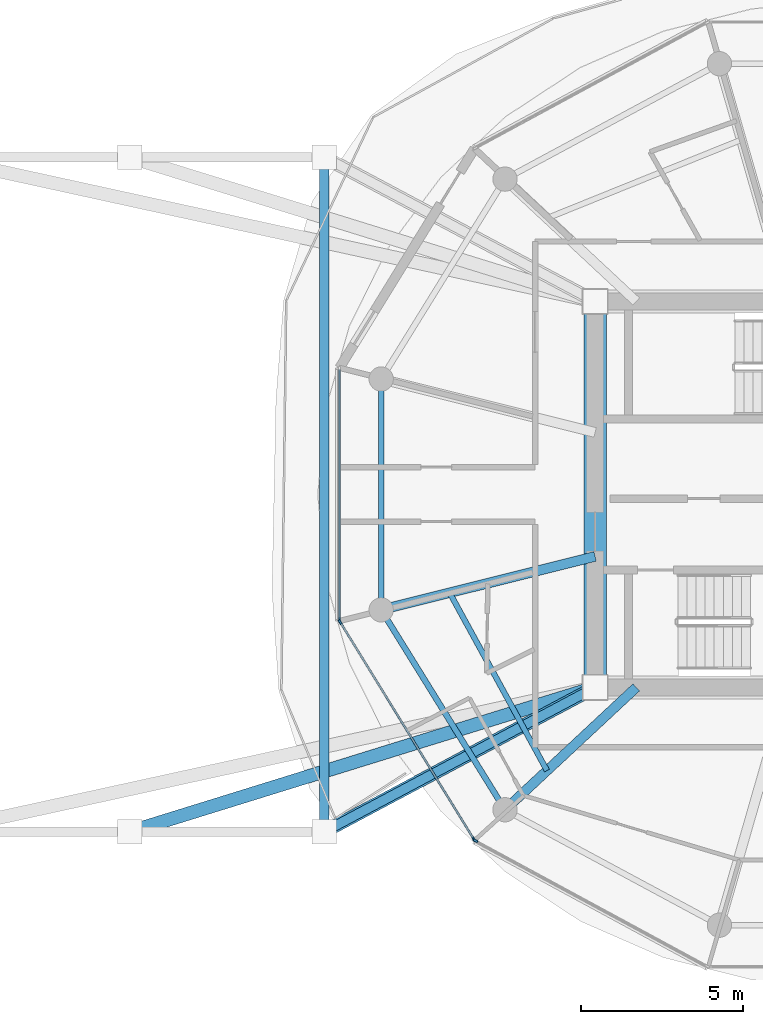
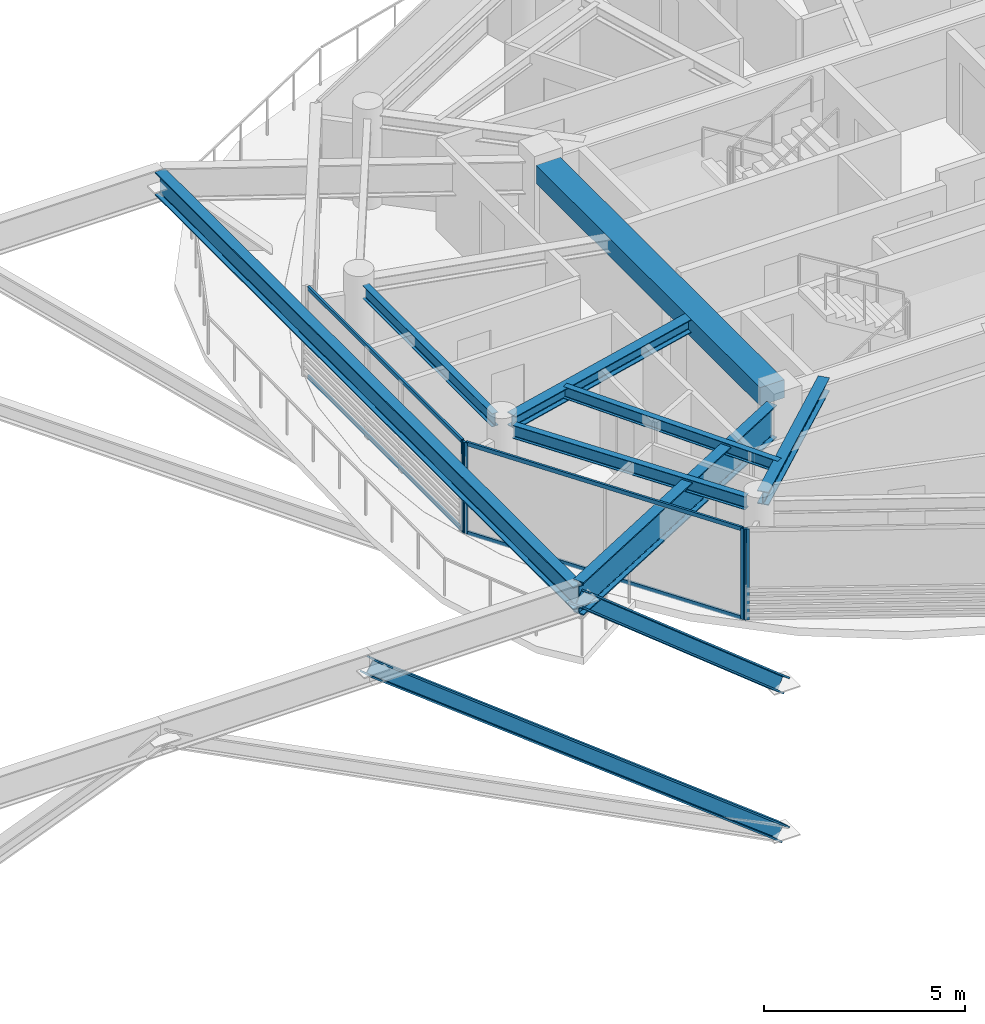
# One storey, part 7 of 23: 10 members, 8 beams, 3 elements without a shape of their own.
"""IFC4 building model written with IfcOpenShell, lengths in metres."""

from ifc_helpers import new_model, si_unit, direction, frame, origin, origin_2d, place, context, subcontext, project, spatial, rectangle, i_section, extrude, source, transform, mapped, material, layer, layer_set, material_profile, profile_set, type_object, type_shapes, element, aggregate, save


model = new_model("IFC4")

# Units and contexts
model_context = context("Model", 3, precision=1e-05, world=origin(), true_north=direction((0.0, 1.0)))
body_context = subcontext(model_context, "Body", "Model", "MODEL_VIEW")
ifc_project = project(units=[si_unit("LENGTHUNIT", "METRE"), si_unit("AREAUNIT", "SQUARE_METRE"), si_unit("VOLUMEUNIT", "CUBIC_METRE"), si_unit("PLANEANGLEUNIT", "RADIAN"), si_unit("MASSUNIT", "GRAM", prefix="KILO")], contexts=[model_context])

# Site, building, storey
site_placement = place(None, origin())
site = spatial("IfcSite", under=ifc_project, at=site_placement, CompositionType="ELEMENT")
building_placement = place(site_placement, origin())
building = spatial("IfcBuilding", under=site, at=building_placement, Name="Norrkilde Senior Care Towers", CompositionType="ELEMENT")
storey_placement = place(building_placement, frame((0.0, 0.0, 196.75)))
storey = spatial("IfcBuildingStorey", under=building, at=storey_placement, Name="L61", CompositionType="ELEMENT", Elevation=196.75)

# Beams
ifc_material_1 = material(Name="Concrete C60/75", Category="concrete")
ifc_material_profile_1 = material_profile(ifc_material_1, rectangle(XDim=0.699951171875, YDim=0.550048828125, at=origin_2d()), Name="RC BM 700x550")
ifc_profile_set_1 = profile_set([ifc_material_profile_1], Name="Concrete C60/75")
beam_type_1 = type_object("IfcBeamType", Name="Core Portal Coupling Beam 700x550", PredefinedType="USERDEFINED", material=ifc_profile_set_1)
shared_shape_1 = source(origin(), body_context, "Body", "SweptSolid", [
    extrude(rectangle(XDim=0.699951171875, YDim=0.550048828125, at=origin_2d()), origin(), (0.0, 0.0, 1.0), 11.14013671875),
])
type_shapes(beam_type_1, [shared_shape_1])
beam_1_placement = place(storey_placement, frame((20.35009765625, -5.570068359375, 2.485107421875), z_axis=(0.0, 1.0, 0.0), x_axis=(-1.0, 0.0, 0.0)))
element("IfcBeam", 1, at=beam_1_placement, inside=storey, type_object=beam_type_1, Name="L61 Core E W Coupling Girder", ObjectType="GIRDER", PredefinedType="USERDEFINED", context=body_context, shape_type="MappedRepresentation", body=[
    mapped(shared_shape_1, transform((0.0, 0.0, 0.0), x_axis=(1.0, 0.0, 0.0), y_axis=(0.0, 1.0, 0.0), z_axis=(0.0, 0.0, 1.0), scale=1.0)),
])
ifc_material_2 = material(Name="Steel S355", Category="steel")
ifc_material_profile_2 = material_profile(ifc_material_2, i_section(OverallWidth=0.179931640625, OverallDepth=0.39990234375, WebThickness=0.008544921875, FlangeThickness=0.013427734375, FilletRadius=0.02099609375, at=origin_2d()), Name="IPE 400")
ifc_profile_set_2 = profile_set([ifc_material_profile_2], Name="Steel S355")
beam_type_2 = type_object("IfcBeamType", Name="Perimeter Ring Spandrel Z4 IPE400", PredefinedType="SPANDREL", material=ifc_profile_set_2)
shared_shape_2 = source(origin(), body_context, "Body", "SweptSolid", [
    extrude(i_section(OverallWidth=0.179931640625, OverallDepth=0.39990234375, WebThickness=0.008544921875, FlangeThickness=0.013427734375, FilletRadius=0.02099609375, at=origin_2d()), origin(), (0.0, 0.0, 1.0), 6.58056640625),
])
beam_2_placement = place(storey_placement, frame((13.928955078125, -3.843505859375, 2.56005859375), z_axis=(0.526529583789, -0.850156807533, 0.0), x_axis=(0.850156807533, 0.526529583789, 0.0)))
element("IfcBeam", 2, at=beam_2_placement, inside=storey, type_object=beam_type_2, Name="L61 Drum E Perimeter Spandrel 07", PredefinedType="SPANDREL", context=body_context, shape_type="MappedRepresentation", body=[
    mapped(shared_shape_2, transform((0.0, 0.0, 0.0), x_axis=(1.0, 0.0, 0.0), y_axis=(0.0, 1.0, 0.0), z_axis=(0.0, 0.0, 1.0), scale=1.0)),
])
ifc_material_profile_3 = material_profile(ifc_material_2, i_section(OverallWidth=0.300048828125, OverallDepth=0.39990234375, WebThickness=0.013427734375, FlangeThickness=0.02392578125, FilletRadius=0.027099609375, at=origin_2d()), Name="HEB 400")
ifc_profile_set_3 = profile_set([ifc_material_profile_3], Name="Steel S355")
beam_type_3 = type_object("IfcBeamType", Name="Radial Floor Beam Z4 HEB400", PredefinedType="BEAM", material=ifc_profile_set_3)
shared_shape_3 = source(origin(), body_context, "Body", "SweptSolid", [
    extrude(i_section(OverallWidth=0.300048828125, OverallDepth=0.39990234375, WebThickness=0.013427734375, FlangeThickness=0.02392578125, FilletRadius=0.027099609375, at=origin_2d()), origin(), (0.0, 0.0, 1.0), 6.465087890625),
])
beam_3_placement = place(storey_placement, frame((20.35009765625, -1.910888671875, 2.56005859375), z_axis=(-0.970195788563, -0.242322371758, 0.0), x_axis=(0.242322371758, -0.970195788563, 0.0)))
element("IfcBeam", 3, at=beam_3_placement, inside=storey, type_object=beam_type_3, Name="L61 Drum E Radial Floor Beam 07", PredefinedType="BEAM", context=body_context, shape_type="MappedRepresentation", body=[
    mapped(shared_shape_3, transform((0.0, 0.0, 0.0), x_axis=(1.0, 0.0, 0.0), y_axis=(0.0, 1.0, 0.0), z_axis=(0.0, 0.0, 1.0), scale=1.0)),
])
shared_shape_4 = source(origin(), body_context, "Body", "SweptSolid", [
    extrude(i_section(OverallWidth=0.300048828125, OverallDepth=0.39990234375, WebThickness=0.013427734375, FlangeThickness=0.02392578125, FilletRadius=0.027099609375, at=origin_2d()), origin(), (0.0, 0.0, 1.0), 5.197998046875),
])
type_shapes(beam_type_3, [shared_shape_3, shared_shape_4])
beam_4_placement = place(storey_placement, frame((21.6171875, -5.949951171875, 2.56005859375), z_axis=(-0.731448749334, -0.681896419625, 0.0), x_axis=(0.681896419625, -0.731448749334, 0.0)))
element("IfcBeam", 4, at=beam_4_placement, inside=storey, type_object=beam_type_3, Name="L61 Drum E Radial Floor Beam 08", PredefinedType="BEAM", context=body_context, shape_type="MappedRepresentation", body=[
    mapped(shared_shape_4, transform((0.0, 0.0, 0.0), x_axis=(1.0, 0.0, 0.0), y_axis=(0.0, 1.0, 0.0), z_axis=(0.0, 0.0, 1.0), scale=1.0)),
])
shared_shape_5 = source(origin(), body_context, "Body", "SweptSolid", [
    extrude(i_section(OverallWidth=0.179931640625, OverallDepth=0.39990234375, WebThickness=0.008544921875, FlangeThickness=0.013427734375, FilletRadius=0.02099609375, at=origin_2d()), origin(), (0.0, 0.0, 1.0), 6.44775390625),
])
type_shapes(beam_type_2, [shared_shape_2, shared_shape_5])
beam_5_placement = place(storey_placement, frame((13.752685546875, 3.223876953125, 2.56005859375), z_axis=(0.0, -1.0, 0.0), x_axis=(1.0, 0.0, 0.0)))
element("IfcBeam", 5, at=beam_5_placement, inside=storey, type_object=beam_type_2, Name="L61 Drum E Perimeter Spandrel 06", PredefinedType="SPANDREL", context=body_context, shape_type="MappedRepresentation", body=[
    mapped(shared_shape_5, transform((0.0, 0.0, 0.0), x_axis=(1.0, 0.0, 0.0), y_axis=(0.0, 1.0, 0.0), z_axis=(0.0, 0.0, 1.0), scale=1.0)),
])
ifc_material_profile_4 = material_profile(ifc_material_2, i_section(OverallWidth=0.169921875, OverallDepth=0.360107421875, WebThickness=0.008056640625, FlangeThickness=0.0126953125, FilletRadius=0.01806640625, at=origin_2d()), Name="IPE 360")
ifc_profile_set_4 = profile_set([ifc_material_profile_4], Name="Steel S355")
beam_type_4 = type_object("IfcBeamType", Name="Secondary Floor Joist IPE360", PredefinedType="JOIST", material=ifc_profile_set_4)
shared_shape_6 = source(origin(), body_context, "Body", "SweptSolid", [
    extrude(i_section(OverallWidth=0.169921875, OverallDepth=0.360107421875, WebThickness=0.008056640625, FlangeThickness=0.0126953125, FilletRadius=0.01806640625, at=origin_2d()), origin(), (0.0, 0.0, 1.0), 6.25146484375),
])
type_shapes(beam_type_4, [shared_shape_6])
beam_6_placement = place(storey_placement, frame((15.86376953125, -3.031494140625, 2.580078125), z_axis=(0.480115752653, -0.877205143655, 0.0), x_axis=(0.877205143655, 0.480115752653, 0.0)))
element("IfcBeam", 6, at=beam_6_placement, inside=storey, type_object=beam_type_4, Name="L61 Drum E Secondary Floor Joist 3", PredefinedType="JOIST", context=body_context, shape_type="MappedRepresentation", body=[
    mapped(shared_shape_6, transform((0.0, 0.0, 0.0), x_axis=(1.0, 0.0, 0.0), y_axis=(0.0, 1.0, 0.0), z_axis=(0.0, 0.0, 1.0), scale=1.0)),
])
ifc_material_profile_5 = material_profile(ifc_material_2, i_section(OverallWidth=0.300048828125, OverallDepth=1.0, WebThickness=0.01904296875, FlangeThickness=0.035888671875, FilletRadius=0.030029296875, at=origin_2d()), Name="HEB 1000")
ifc_profile_set_5 = profile_set([ifc_material_profile_5], Name="Steel S355")
beam_type_5 = type_object("IfcBeamType", Name="Sky Pool Cantilever Girder HEB1000", PredefinedType="USERDEFINED", material=ifc_profile_set_5)
shared_shape_7 = source(origin(), body_context, "Body", "SweptSolid", [
    extrude(i_section(OverallWidth=0.300048828125, OverallDepth=1.0, WebThickness=0.01904296875, FlangeThickness=0.035888671875, FilletRadius=0.030029296875, at=origin_2d()), origin(), (0.0, 0.0, 1.0), 9.081787109375),
])
type_shapes(beam_type_5, [shared_shape_7])
beam_7_placement = place(storey_placement, frame((12.0, -10.39990234375, 2.1298828125), z_axis=(0.882500984168, 0.47031054947, 0.0), x_axis=(-0.47031054947, 0.882500984168, 0.0)))
element("IfcBeam", 7, at=beam_7_placement, inside=storey, type_object=beam_type_5, Name="L61 Sky-Gate Bridge Transfer Girder S6", ObjectType="GIRDER", PredefinedType="USERDEFINED", context=body_context, shape_type="MappedRepresentation", body=[
    mapped(shared_shape_7, transform((0.0, 0.0, 0.0), x_axis=(1.0, 0.0, 0.0), y_axis=(0.0, 1.0, 0.0), z_axis=(0.0, 0.0, 1.0), scale=1.0)),
])

# Members
ifc_material_profile_6 = material_profile(ifc_material_2, i_section(OverallWidth=0.412109375, OverallDepth=0.449951171875, WebThickness=0.028076171875, FlangeThickness=0.044921875, FilletRadius=0.014892578125, at=origin_2d()), Name="HD 400x509")
ifc_profile_set_6 = profile_set([ifc_material_profile_6], Name="Steel S355")
member_type_1 = type_object("IfcMemberType", Name="Pratt Bridge Truss Diagonal HD400x509", PredefinedType="BRACE", material=ifc_profile_set_6)
shared_shape_8 = source(origin(), body_context, "Body", "SweptSolid", [
    extrude(i_section(OverallWidth=0.412109375, OverallDepth=0.449951171875, WebThickness=0.028076171875, FlangeThickness=0.044921875, FilletRadius=0.014892578125, at=origin_2d()), origin(), (0.0, 0.0, 1.0), 12.540283203125),
])
member_1_placement = place(storey_placement, frame((20.35009765625, -5.949951171875, -6.10009765625), z_axis=(-0.665861815831, -0.354852444803, 0.656283311258), x_axis=(0.470305631528, -0.882503605065, 0.0)))
element("IfcMember", 8, at=member_1_placement, inside=storey, type_object=member_type_1, Name="L61 Sky-Gate Portal Arch Strut S-E12", PredefinedType="BRACE", context=body_context, shape_type="MappedRepresentation", body=[
    mapped(shared_shape_8, transform((0.0, 0.0, 0.0), x_axis=(1.0, 0.0, 0.0), y_axis=(0.0, 1.0, 0.0), z_axis=(0.0, 0.0, 1.0), scale=1.0)),
])
shared_shape_9 = source(origin(), body_context, "Body", "SweptSolid", [
    extrude(i_section(OverallWidth=0.412109375, OverallDepth=0.449951171875, WebThickness=0.028076171875, FlangeThickness=0.044921875, FilletRadius=0.014892578125, at=origin_2d()), origin(), (0.0, 0.0, 1.0), 19.692138671875),
])
type_shapes(member_type_1, [shared_shape_8, shared_shape_9])
member_2_placement = place(storey_placement, frame((20.35009765625, -5.949951171875, -10.60009765625), z_axis=(-0.728722672349, -0.225976184098, 0.646450331444), x_axis=(0.296185052015, -0.955130574824, 0.0)))
element("IfcMember", 9, at=member_2_placement, inside=storey, type_object=member_type_1, Name="L61 Sky-Gate Portal Arch Strut S-E06", PredefinedType="BRACE", context=body_context, shape_type="MappedRepresentation", body=[
    mapped(shared_shape_9, transform((0.0, 0.0, 0.0), x_axis=(1.0, 0.0, 0.0), y_axis=(0.0, 1.0, 0.0), z_axis=(0.0, 0.0, 1.0), scale=1.0)),
])

# Beam
ifc_material_profile_7 = material_profile(ifc_material_2, i_section(OverallWidth=0.300048828125, OverallDepth=0.699951171875, WebThickness=0.01708984375, FlangeThickness=0.031982421875, FilletRadius=0.027099609375, at=origin_2d()), Name="HEB 700")
ifc_profile_set_7 = profile_set([ifc_material_profile_7], Name="Steel S355")
beam_type_6 = type_object("IfcBeamType", Name="Bridge Cross Girder HEB700", PredefinedType="USERDEFINED", material=ifc_profile_set_7)
shared_shape_10 = source(origin(), body_context, "Body", "SweptSolid", [
    extrude(i_section(OverallWidth=0.300048828125, OverallDepth=0.699951171875, WebThickness=0.01708984375, FlangeThickness=0.031982421875, FilletRadius=0.027099609375, at=origin_2d()), origin(), (0.0, 0.0, 1.0), 20.7998046875),
])
type_shapes(beam_type_6, [shared_shape_10])
beam_8_placement = place(storey_placement, frame((12.0, -10.39990234375, 2.1298828125), z_axis=(0.0, 1.0, 0.0), x_axis=(-1.0, 0.0, 0.0)))
element("IfcBeam", 10, at=beam_8_placement, inside=storey, type_object=beam_type_6, Name="L61 Sky-Gate Base Cross Girder +12", ObjectType="GIRDER", PredefinedType="USERDEFINED", context=body_context, shape_type="MappedRepresentation", body=[
    mapped(shared_shape_10, transform((0.0, 0.0, 0.0), x_axis=(1.0, 0.0, 0.0), y_axis=(0.0, 1.0, 0.0), z_axis=(0.0, 0.0, 1.0), scale=1.0)),
])

# Curtain wall, members
ifc_material_3 = material(Name="Triple Low-E Insulated Glazing", Category="glass")
ifc_layer = layer(ifc_material_3, 0.18505859375)
ifc_layer_set = layer_set([ifc_layer], Name="Triple Low-E Insulated Glazing")
curtain_wall_type = type_object("IfcCurtainWallType", Name="CW6 Zone 4 Crown Pavilion Curtain Wall", PredefinedType="NOTDEFINED", material=ifc_layer_set)
curtain_wall_1_placement = place(storey_placement, origin())
curtain_wall_1 = element("IfcCurtainWall", 11, at=curtain_wall_1_placement, inside=storey, type_object=curtain_wall_type, Name="L61 Drum E Curtain Wall 06", PredefinedType="NOTDEFINED")
ifc_material_4 = material(Name="Anodised Aluminium", Category="aluminium")
ifc_material_profile_8 = material_profile(ifc_material_4, rectangle(XDim=0.06005859375, YDim=0.1201171875, at=origin_2d()), Name="ALU TRAN 60x120")
ifc_profile_set_8 = profile_set([ifc_material_profile_8], Name="Anodised Aluminium")
member_type_2 = type_object("IfcMemberType", Name="Curtain Wall Transom Typical 60x120", PredefinedType="USERDEFINED", material=ifc_profile_set_8)
shared_shape_11 = source(origin(), body_context, "Body", "SweptSolid", [
    extrude(rectangle(XDim=0.06005859375, YDim=0.1201171875, at=origin_2d()), origin(), (0.0, 0.0, 1.0), 7.808837890625),
])
member_3_placement = place(storey_placement, frame((16.595703125, -10.60791015625, 0.030029296875), z_axis=(-0.524250924101, 0.851563837055, 0.0), x_axis=(-0.851563837055, -0.524250924101, 0.0)))
member_3 = element("IfcMember", 12, at=member_3_placement, type_object=member_type_2, Name="CW-6 transom 1.1", ObjectType="TRANSOM", PredefinedType="USERDEFINED", context=body_context, shape_type="MappedRepresentation", body=[
    mapped(shared_shape_11, transform((0.0, 0.0, 0.0), x_axis=(1.0, 0.0, 0.0), y_axis=(0.0, 1.0, 0.0), z_axis=(0.0, 0.0, 1.0), scale=1.0)),
])
member_4_placement = place(storey_placement, frame((16.595703125, -10.60791015625, 2.72998046875), z_axis=(-0.524250924101, 0.851563837055, 0.0), x_axis=(-0.851563837055, -0.524250924101, 0.0)))
member_4 = element("IfcMember", 13, at=member_4_placement, type_object=member_type_2, Name="CW-6 transom 1.2", ObjectType="TRANSOM", PredefinedType="USERDEFINED", context=body_context, shape_type="MappedRepresentation", body=[
    mapped(shared_shape_11, transform((0.0, 0.0, 0.0), x_axis=(1.0, 0.0, 0.0), y_axis=(0.0, 1.0, 0.0), z_axis=(0.0, 0.0, 1.0), scale=1.0)),
])

curtain_wall_2_placement = place(storey_placement, origin())
curtain_wall_2 = element("IfcCurtainWall", 14, at=curtain_wall_2_placement, inside=storey, type_object=curtain_wall_type, Name="L61 Drum E Curtain Wall 05", PredefinedType="NOTDEFINED")
shared_shape_12 = source(origin(), body_context, "Body", "SweptSolid", [
    extrude(rectangle(XDim=0.06005859375, YDim=0.1201171875, at=origin_2d()), origin(), (0.0, 0.0, 1.0), 7.67578125),
])
type_shapes(member_type_2, [shared_shape_11, shared_shape_12])
member_5_placement = place(storey_placement, frame((12.468017578125, -3.837890625, 0.030029296875), z_axis=(0.0, 1.0, 0.0), x_axis=(-1.0, 0.0, 0.0)))
member_5 = element("IfcMember", 15, at=member_5_placement, type_object=member_type_2, Name="CW-6 transom 1.1", ObjectType="TRANSOM", PredefinedType="USERDEFINED", context=body_context, shape_type="MappedRepresentation", body=[
    mapped(shared_shape_12, transform((0.0, 0.0, 0.0), x_axis=(1.0, 0.0, 0.0), y_axis=(0.0, 1.0, 0.0), z_axis=(0.0, 0.0, 1.0), scale=1.0)),
])
member_6_placement = place(storey_placement, frame((12.468017578125, -3.837890625, 2.72998046875), z_axis=(0.0, 1.0, 0.0), x_axis=(-1.0, 0.0, 0.0)))
member_6 = element("IfcMember", 16, at=member_6_placement, type_object=member_type_2, Name="CW-6 transom 1.2", ObjectType="TRANSOM", PredefinedType="USERDEFINED", context=body_context, shape_type="MappedRepresentation", body=[
    mapped(shared_shape_12, transform((0.0, 0.0, 0.0), x_axis=(1.0, 0.0, 0.0), y_axis=(0.0, 1.0, 0.0), z_axis=(0.0, 0.0, 1.0), scale=1.0)),
])
ifc_material_profile_9 = material_profile(ifc_material_4, rectangle(XDim=0.06494140625, YDim=0.14990234375, at=origin_2d()), Name="ALU MULL 65x150")
ifc_profile_set_9 = profile_set([ifc_material_profile_9], Name="Anodised Aluminium")
member_type_3 = type_object("IfcMemberType", Name="Curtain Wall Mullion Z3-Z4 65x150", PredefinedType="MULLION", material=ifc_profile_set_9)
shared_shape_13 = source(origin(), body_context, "Body", "SweptSolid", [
    extrude(rectangle(XDim=0.06494140625, YDim=0.14990234375, at=origin_2d()), origin(), (0.0, 0.0, 1.0), 2.760009765625),
])
type_shapes(member_type_3, [shared_shape_13])
member_7_placement = place(storey_placement, frame((12.468017578125, -3.87060546875, 0.0), z_axis=(0.0, 0.0, 1.0), x_axis=(-1.0, 0.0, 0.0)))
member_7 = element("IfcMember", 17, at=member_7_placement, type_object=member_type_3, Name="CW-6 mullion 1", PredefinedType="MULLION", context=body_context, shape_type="MappedRepresentation", body=[
    mapped(shared_shape_13, transform((0.0, 0.0, 0.0), x_axis=(1.0, 0.0, 0.0), y_axis=(0.0, 1.0, 0.0), z_axis=(0.0, 0.0, 1.0), scale=1.0)),
])
aggregate(curtain_wall_2, [member_7, member_5, member_6])

# Member
member_8_placement = place(storey_placement, frame((16.61279296875, -10.635498046875, 0.0), z_axis=(0.0, 0.0, 1.0), x_axis=(-0.851562727283, -0.524252726748, 0.0)))
member_8 = element("IfcMember", 18, at=member_8_placement, type_object=member_type_3, Name="CW-6 mullion 1", PredefinedType="MULLION", context=body_context, shape_type="MappedRepresentation", body=[
    mapped(shared_shape_13, transform((0.0, 0.0, 0.0), x_axis=(1.0, 0.0, 0.0), y_axis=(0.0, 1.0, 0.0), z_axis=(0.0, 0.0, 1.0), scale=1.0)),
])

member_9_placement = place(storey_placement, frame((12.48486328125, -3.9306640625, 0.0), z_axis=(0.0, 0.0, 1.0), x_axis=(-0.851562727283, -0.524252726748, 0.0)))
member_9 = element("IfcMember", 19, at=member_9_placement, type_object=member_type_3, Name="CW-6 mullion 2", PredefinedType="MULLION", context=body_context, shape_type="MappedRepresentation", body=[
    mapped(shared_shape_13, transform((0.0, 0.0, 0.0), x_axis=(1.0, 0.0, 0.0), y_axis=(0.0, 1.0, 0.0), z_axis=(0.0, 0.0, 1.0), scale=1.0)),
])

aggregate(curtain_wall_1, [member_8, member_9, member_3, member_4])

# Curtain wall, member
curtain_wall_3_placement = place(storey_placement, origin())
curtain_wall_3 = element("IfcCurtainWall", 20, at=curtain_wall_3_placement, inside=storey, type_object=curtain_wall_type, Name="L61 Drum E Curtain Wall 07", PredefinedType="NOTDEFINED")
member_10_placement = place(storey_placement, frame((16.658203125, -10.6787109375, 0.0), z_axis=(0.0, 0.0, 1.0), x_axis=(-0.476132676136, -0.879373455772, 0.0)))
member_10 = element("IfcMember", 21, at=member_10_placement, type_object=member_type_3, Name="CW-6 mullion 2", PredefinedType="MULLION", context=body_context, shape_type="MappedRepresentation", body=[
    mapped(shared_shape_13, transform((0.0, 0.0, 0.0), x_axis=(1.0, 0.0, 0.0), y_axis=(0.0, 1.0, 0.0), z_axis=(0.0, 0.0, 1.0), scale=1.0)),
])
aggregate(curtain_wall_3, [member_10])

save(model, "model.ifc")
